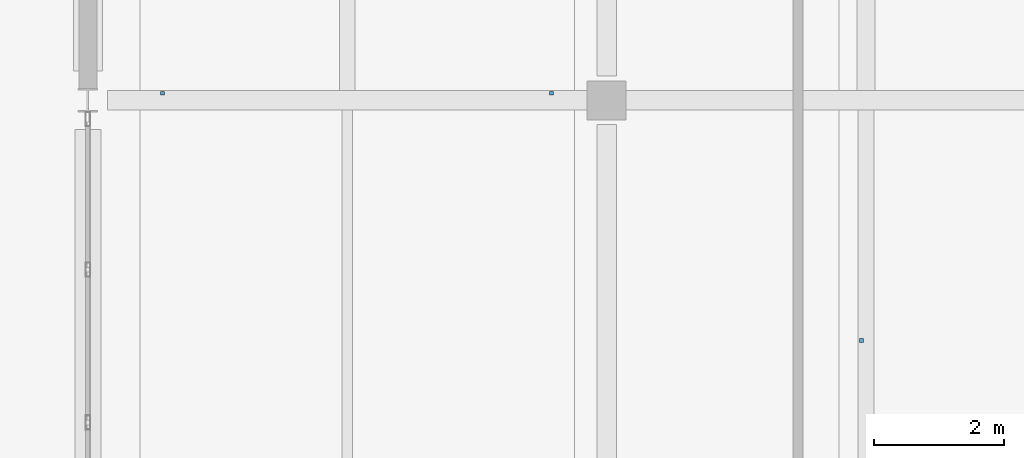
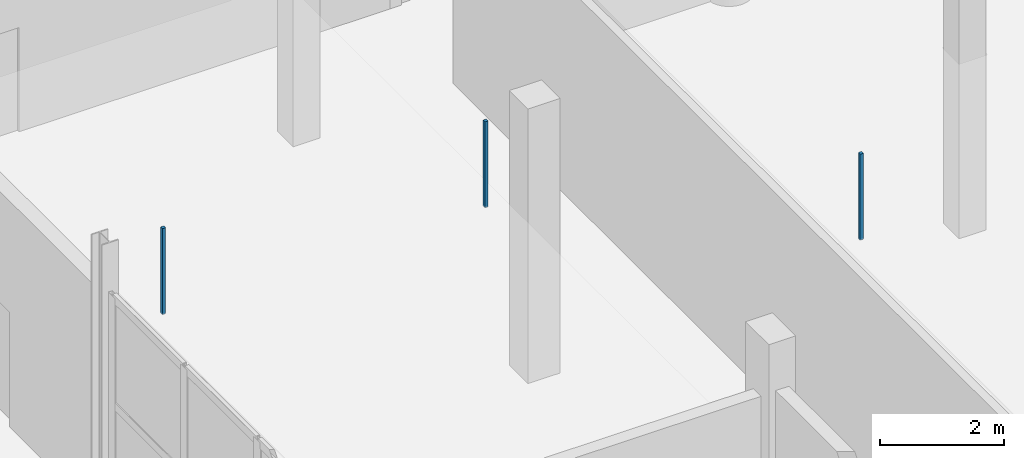
# One storey, part 91 of 126: 3 discrete accessories.
"""IFC4 building model written with IfcOpenShell, lengths in metres."""

from ifc_helpers import new_model, si_unit, direction, frame, origin, origin_2d, place, context, subcontext, project, spatial, rectangle, extrude, material, type_object, element, save


model = new_model("IFC4")

# Units and contexts
model_context = context("Model", 3, precision=1e-05, world=origin(), true_north=direction((0.0, 1.0)))
body_context = subcontext(model_context, "Body", "Model", "MODEL_VIEW")
ifc_project = project(units=[si_unit("LENGTHUNIT", "METRE"), si_unit("AREAUNIT", "SQUARE_METRE"), si_unit("VOLUMEUNIT", "CUBIC_METRE"), si_unit("PLANEANGLEUNIT", "RADIAN"), si_unit("MASSUNIT", "GRAM", prefix="KILO")], contexts=[model_context])

# Site, building, storey
site_placement = place(None, origin())
site = spatial("IfcSite", under=ifc_project, at=site_placement, CompositionType="ELEMENT")
building_placement = place(site_placement, origin())
building = spatial("IfcBuilding", under=site, at=building_placement, Name="Khelvaren Railside Concert Hall", CompositionType="ELEMENT")
storey_placement = place(building_placement, origin())
storey = spatial("IfcBuildingStorey", under=building, at=storey_placement, Name="L00", CompositionType="ELEMENT", Elevation=0.0)

# Discrete accessories
ifc_material = material(Name="Galvanised steel acoustic ceiling hanger rod", Category="steel")
discrete_accessory_type = type_object("IfcDiscreteAccessoryType", Name="BRK62", PredefinedType="BRACKET", material=ifc_material)
for number, where, z_axis, x_axis, name in (
    (1, (145.14990234375, 15.31005859375, 3.429931640625), (0.0, 0.0, 1.0), (1.0, 0.0, 0.0), "Acoustic Ceiling Suspension Bracket 35-1"),
    (2, (151.14990234375, 15.31005859375, 3.429931640625), (0.0, 0.0, 1.0), (1.0, 0.0, 0.0), "Acoustic Ceiling Suspension Bracket 35-2"),
    (3, (155.929931640625, 11.5, 3.429931640625), (0.0, 0.0, 1.0), (1.0, 0.0, 0.0), "Acoustic Ceiling Suspension Bracket 36-1"),
):
    element("IfcDiscreteAccessory", number, at=place(storey_placement, frame(where, z_axis=z_axis, x_axis=x_axis)), inside=storey, type_object=discrete_accessory_type, Name=name, PredefinedType="BRACKET", context=body_context, shape_type="SweptSolid", body=[
        extrude(rectangle(XDim=0.06005859375, YDim=0.06005859375, at=origin_2d()), origin(), (0.0, 0.0, 1.0), 1.68994140625),
    ])

save(model, "model.ifc")
